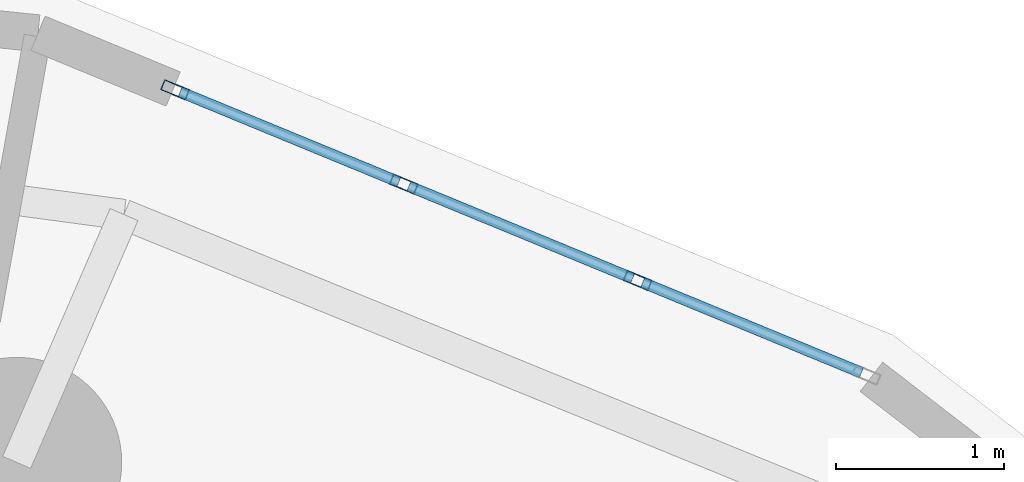
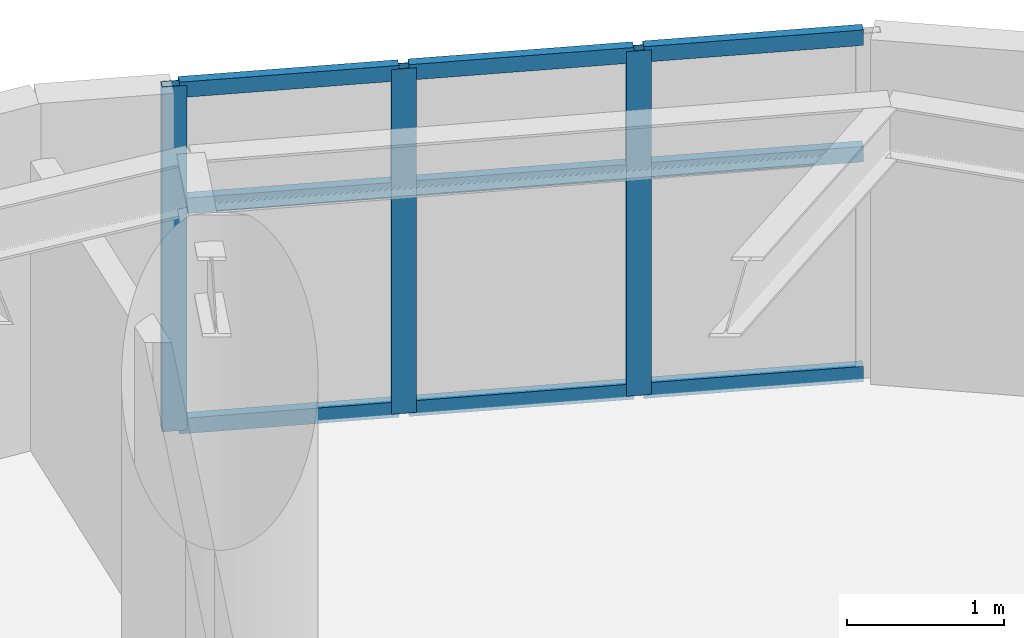
# One storey, part 7 of 17: 12 members, 1 element without a shape of its own.
"""IFC4 building model written with IfcOpenShell, lengths in metres."""

import ifcopenshell
import ifcopenshell.guid

model = None  # the IFC model being written
_history = None  # IfcOwnerHistory: only IFC2X3 demands one
_inside = {}  # id of a spatial element -> (the spatial element, [elements in it])
_under = {}  # id of a project, library or spatial element -> (it, [spatial elements below it])
_declared = {}  # id of a project -> (the project, [libraries it declares])
_typed = {}  # id of a type object -> (the type object, [elements of that type])
_made_of = {}  # id of a material, layer set ... -> (it, [elements and type objects made of it])


def new_model(schema):
    """Start an empty IFC model of exactly this schema.

    Asked for "IFC4X3", IfcOpenShell would pick the latest addendum, in which some entities
    have other attributes; the version numbers below select the first issue.
    IFC2X3 requires an IfcOwnerHistory on every rooted entity: one is made here for all.
    """
    global model, _history
    if schema == "IFC4X3":
        model = ifcopenshell.file(schema_version=(4, 3, 0, 0))
    else:
        model = ifcopenshell.file(schema=schema)
    _inside.clear()
    _under.clear()
    _declared.clear()
    _typed.clear()
    _made_of.clear()
    _history = None
    if model.schema == "IFC2X3":
        org = make("IfcOrganization", Name="unknown")
        user = make(
            "IfcPersonAndOrganization",
            ThePerson=make("IfcPerson", FamilyName="unknown"),
            TheOrganization=org,
        )
        app = make(
            "IfcApplication",
            ApplicationDeveloper=org,
            Version="unknown",
            ApplicationFullName="unknown",
            ApplicationIdentifier="unknown",
        )
        _history = make(
            "IfcOwnerHistory",
            OwningUser=user,
            OwningApplication=app,
            ChangeAction="ADDED",
            CreationDate=0,
        )
    return model


def make(cls, **values):
    """One entity of the class cls with the attributes given. An attribute that is None is left unset."""
    return model.create_entity(
        cls, **{name: value for name, value in values.items() if value is not None}
    )


def rooted(cls, **values):
    """An entity with a GlobalId (a new one), such as an element, a storey or a relation."""
    return make(cls, GlobalId=ifcopenshell.guid.new(), OwnerHistory=_history, **values)


def si_unit(unit_type, name, prefix=None):
    """IfcSIUnit, for example si_unit("LENGTHUNIT", "METRE", prefix="MILLI")."""
    return make("IfcSIUnit", UnitType=unit_type, Prefix=prefix, Name=name)


def assignment(units):
    """IfcUnitAssignment: the units of a project."""
    return None if units is None else make("IfcUnitAssignment", Units=units)


def point(xyz):
    """IfcCartesianPoint."""
    return None if xyz is None else make("IfcCartesianPoint", Coordinates=xyz)


def direction(xyz):
    """IfcDirection."""
    return None if xyz is None else make("IfcDirection", DirectionRatios=xyz)


def frame(location, z_axis=None, x_axis=None):
    """IfcAxis2Placement3D, a coordinate frame: its origin and axes. An axis left out is left unset."""
    return make(
        "IfcAxis2Placement3D",
        Location=point(location),
        Axis=direction(z_axis),
        RefDirection=direction(x_axis),
    )


def frame_2d(location, x_axis=None):
    """IfcAxis2Placement2D, a coordinate frame in the plane: its origin and x axis."""
    return make(
        "IfcAxis2Placement2D", Location=point(location), RefDirection=direction(x_axis)
    )


def origin():
    """The frame at (0, 0, 0) with its axes left unset."""
    return frame((0.0, 0.0, 0.0))


def origin_2d():
    """The frame at (0, 0) in the plane with its x axis left unset."""
    return frame_2d((0.0, 0.0))


def place(relative_to, where):
    """IfcLocalPlacement: puts the frame where relative to a parent placement (None: the world)."""
    return make(
        "IfcLocalPlacement", PlacementRelTo=relative_to, RelativePlacement=where
    )


def context(
    kind, dimensions, precision=None, world=None, true_north=None, identifier=None
):
    """IfcGeometricRepresentationContext, for example the 3D "Model" context."""
    return make(
        "IfcGeometricRepresentationContext",
        ContextIdentifier=identifier,
        ContextType=kind,
        CoordinateSpaceDimension=dimensions,
        Precision=precision,
        WorldCoordinateSystem=world,
        TrueNorth=true_north,
    )


def subcontext(parent, identifier, kind, view, scale=None):
    """IfcGeometricRepresentationSubContext, for example "Body" below "Model"."""
    return make(
        "IfcGeometricRepresentationSubContext",
        ContextIdentifier=identifier,
        ContextType=kind,
        ParentContext=parent,
        TargetScale=scale,
        TargetView=view,
    )


def project(units=None, contexts=None):
    """IfcProject with its units and contexts."""
    return rooted(
        "IfcProject",
        Name="project",
        RepresentationContexts=contexts,
        UnitsInContext=assignment(units),
    )


def spatial(cls, under=None, at=None, **own):
    """A site, building, storey or space (cls), placed at a placement, below another one or the project."""
    s = rooted(cls, ObjectPlacement=at, **own)
    if under is not None:
        _under.setdefault(under.id(), (under, []))[1].append(s)
    return s


def profile(cls, at=None, kind="AREA", **sizes):
    """A parametric profile (cls). Its sizes go by their IFC names, for example OverallWidth=200.0."""
    return make(cls, ProfileType=kind, Position=at, **sizes)


def hollow_rectangle(**sizes):
    """IfcRectangleHollowProfileDef."""
    return profile("IfcRectangleHollowProfileDef", **sizes)


def extrude(swept, where, along, depth):
    """IfcExtrudedAreaSolid: the profile swept, set in the frame where, extruded along a direction by depth."""
    return make(
        "IfcExtrudedAreaSolid",
        SweptArea=swept,
        Position=where,
        ExtrudedDirection=direction(along),
        Depth=depth,
    )


def shape(context_of_items, identifier, shape_type, items):
    """IfcShapeRepresentation: the items that make up one representation, for example the "Body"."""
    return make(
        "IfcShapeRepresentation",
        ContextOfItems=context_of_items,
        RepresentationIdentifier=identifier,
        RepresentationType=shape_type,
        Items=items,
    )


def material(Name=None, Category=None):
    """IfcMaterial."""
    return make("IfcMaterial", Name=Name, Category=Category)


def layer(
    of_material, thickness, ventilated=None, Name=None, Category=None, Priority=None
):
    """IfcMaterialLayer: one layer of a wall or slab, of a material (None: an air gap)."""
    return make(
        "IfcMaterialLayer",
        Material=of_material,
        LayerThickness=thickness,
        IsVentilated=ventilated,
        Name=Name,
        Category=Category,
        Priority=Priority,
    )


def layer_set(layers, Name=None):
    """IfcMaterialLayerSet."""
    return make("IfcMaterialLayerSet", MaterialLayers=layers, LayerSetName=Name)


def material_profile(
    of_material, cross_section, Name=None, Category=None, Priority=None
):
    """IfcMaterialProfile: a cross section and its material."""
    return make(
        "IfcMaterialProfile",
        Name=Name,
        Material=of_material,
        Profile=cross_section,
        Priority=Priority,
        Category=Category,
    )


def profile_set(profiles, Name=None, composite=None):
    """IfcMaterialProfileSet."""
    return make(
        "IfcMaterialProfileSet",
        Name=Name,
        MaterialProfiles=profiles,
        CompositeProfile=composite,
    )


def made_of(thing, what):
    """Note that an element or type object is made of a material, layer set ...; save() writes the relation."""
    if what is not None:
        _made_of.setdefault(what.id(), (what, []))[1].append(thing)
    return thing


def type_object(cls, material=None, **own):
    """A type object (cls), such as IfcWallType, which elements share."""
    return made_of(rooted(cls, **own), material)


def element(
    cls,
    number,
    at=None,
    inside=None,
    cuts=None,
    type_object=None,
    material=None,
    context=None,
    identifier="Body",
    shape_type=None,
    held_by="IfcProductDefinitionShape",
    body=None,
    shapes=None,
    **own,
):
    """One element of the class cls, such as IfcWall. Its Tag is "e" and its number.

    at: its placement. inside: the storey or other place that contains it. cuts: it is an
    opening in that element (IfcRelVoidsElement). A single representation is given by context,
    identifier, shape_type and body (its items); several are given by shapes. held_by: the class
    of the entity that holds the representations. save() writes the other relations.
    """
    e = rooted(cls, Tag="e%d" % number, ObjectPlacement=at, **own)
    if body is not None:
        shapes = [shape(context, identifier, shape_type, body)]
    if shapes is not None:
        e.Representation = make(held_by, Representations=shapes)
    if inside is not None:
        _inside.setdefault(inside.id(), (inside, []))[1].append(e)
    if cuts is not None:
        rooted(
            "IfcRelVoidsElement", RelatingBuildingElement=cuts, RelatedOpeningElement=e
        )
    if type_object is not None:
        _typed.setdefault(type_object.id(), (type_object, []))[1].append(e)
    return made_of(e, material)


def aggregate(whole, parts):
    """IfcRelAggregates: a whole, such as a stair, and the parts it consists of."""
    return rooted("IfcRelAggregates", RelatingObject=whole, RelatedObjects=parts)


def save(model, path):
    """Write the relations noted so far, then the file.

    IfcRelAggregates (storeys below a building ...), IfcRelContainedInSpatialStructure (elements
    in a storey), IfcRelDefinesByType, IfcRelAssociatesMaterial and IfcRelDeclares: one each for
    every whole, place, type object, material and project.
    """
    for whole, parts in _under.values():
        aggregate(whole, parts)
    for where, things in _inside.values():
        rooted(
            "IfcRelContainedInSpatialStructure",
            RelatedElements=things,
            RelatingStructure=where,
        )
    for kind, things in _typed.values():
        rooted("IfcRelDefinesByType", RelatedObjects=things, RelatingType=kind)
    for what, things in _made_of.values():
        rooted("IfcRelAssociatesMaterial", RelatedObjects=things, RelatingMaterial=what)
    for by, libraries in _declared.values():
        rooted("IfcRelDeclares", RelatingContext=by, RelatedDefinitions=libraries)
    model.write(path)


model = new_model("IFC4")

# Units and contexts
model_context = context("Model", 3, precision=1e-05, world=origin(), true_north=direction((0.0, 1.0)))
body_context = subcontext(model_context, "Body", "Model", "MODEL_VIEW")
ifc_project = project(units=[si_unit("LENGTHUNIT", "METRE"), si_unit("AREAUNIT", "SQUARE_METRE"), si_unit("VOLUMEUNIT", "CUBIC_METRE"), si_unit("PLANEANGLEUNIT", "RADIAN"), si_unit("MASSUNIT", "GRAM", prefix="KILO")], contexts=[model_context])

# Site, building, storey
site_placement = place(None, origin())
site = spatial("IfcSite", under=ifc_project, at=site_placement, CompositionType="ELEMENT")
building_placement = place(site_placement, origin())
building = spatial("IfcBuilding", under=site, at=building_placement, Name="Cununo Teusaquillo Station Towers", CompositionType="ELEMENT")
storey_placement = place(building_placement, frame((0.0, 0.0, 166.14990234375)))
storey = spatial("IfcBuildingStorey", under=building, at=storey_placement, Name="L52", CompositionType="ELEMENT", Elevation=166.14990234375)

# Curtain wall, members
ifc_material_1 = material(Name="Operable acoustic tinted low-E double glazing", Category="glass")
ifc_layer = layer(ifc_material_1, 0.179931640625)
ifc_layer_set = layer_set([ifc_layer], Name="Operable acoustic tinted low-E double glazing")
curtain_wall_type = type_object("IfcCurtainWallType", Name="CW-SYS-06", PredefinedType="USERDEFINED", material=ifc_layer_set)
curtain_wall_placement = place(storey_placement, origin())
curtain_wall = element("IfcCurtainWall", 1, at=curtain_wall_placement, inside=storey, type_object=curtain_wall_type, Name="L52 Tower B Facade Curtain Wall C01", ObjectType="OPERABLE GLAZING", PredefinedType="USERDEFINED")
ifc_material_2 = material(Name="Anodised dark bronze aluminium EN AW-6063-T6", Category="aluminium")
ifc_material_profile_1 = material_profile(ifc_material_2, hollow_rectangle(XDim=0.06494140625, YDim=0.159912109375, WallThickness=0.00390625, at=origin_2d()), Name="CW-MULL-65x160")
ifc_profile_set_1 = profile_set([ifc_material_profile_1], Name="Anodised dark bronze aluminium EN AW-6063-T6")
member_type_1 = type_object("IfcMemberType", Name="CWM-160", PredefinedType="MULLION", material=ifc_profile_set_1)
member_1_placement = place(storey_placement, frame((59.233642578125, 39.852783203125, 0.0), z_axis=(0.0, 0.0, 1.0), x_axis=(0.381121790423, 0.924524840588, 0.0)))
member_1 = element("IfcMember", 2, at=member_1_placement, type_object=member_type_1, Name="CW-06 mullion 1", PredefinedType="MULLION", context=body_context, shape_type="SweptSolid", body=[
    extrude(hollow_rectangle(XDim=0.06494140625, YDim=0.159912109375, WallThickness=0.00390625, at=origin_2d()), origin(), (0.0, 0.0, 1.0), 2.675048828125),
])
member_2_placement = place(storey_placement, frame((60.59521484375, 39.29150390625, 0.0), z_axis=(0.0, 0.0, 1.0), x_axis=(0.381121790423, 0.924524840588, 0.0)))
member_2 = element("IfcMember", 3, at=member_2_placement, type_object=member_type_1, Name="CW-06 mullion 2", PredefinedType="MULLION", context=body_context, shape_type="SweptSolid", body=[
    extrude(hollow_rectangle(XDim=0.06494140625, YDim=0.159912109375, WallThickness=0.00390625, at=origin_2d()), origin(), (0.0, 0.0, 1.0), 2.675048828125),
])
member_3_placement = place(storey_placement, frame((61.98681640625, 38.7177734375, 0.0), z_axis=(0.0, 0.0, 1.0), x_axis=(0.381121790423, 0.924524840588, 0.0)))
member_3 = element("IfcMember", 4, at=member_3_placement, type_object=member_type_1, Name="CW-06 mullion 3", PredefinedType="MULLION", context=body_context, shape_type="SweptSolid", body=[
    extrude(hollow_rectangle(XDim=0.06494140625, YDim=0.159912109375, WallThickness=0.00390625, at=origin_2d()), origin(), (0.0, 0.0, 1.0), 2.675048828125),
])
ifc_material_3 = material(Name="Anodised dark bronze aluminium EN AW-6063-T6", Category="aluminium")
ifc_material_profile_2 = material_profile(ifc_material_3, hollow_rectangle(XDim=0.06494140625, YDim=0.1201171875, WallThickness=0.00390625, at=origin_2d()), Name="CW-TRAN-65x120")
ifc_profile_set_2 = profile_set([ifc_material_profile_2], Name="Anodised dark bronze aluminium EN AW-6063-T6")
member_type_2 = type_object("IfcMemberType", Name="CWT-120", PredefinedType="USERDEFINED", material=ifc_profile_set_2)
member_4_placement = place(storey_placement, frame((59.263916015625, 39.84033203125, 0.03271484375), z_axis=(0.924537934154, -0.381090026517, 0.0), x_axis=(0.381090026517, 0.924537934154, 0.0)))
member_4 = element("IfcMember", 5, at=member_4_placement, type_object=member_type_2, Name="CW-06 transom 1.1", ObjectType="TRANSOM", PredefinedType="USERDEFINED", context=body_context, shape_type="SweptSolid", body=[
    extrude(hollow_rectangle(XDim=0.06494140625, YDim=0.1201171875, WallThickness=0.00390625, at=origin_2d()), origin(), (0.0, 0.0, 1.0), 1.407470703125),
])
member_5_placement = place(storey_placement, frame((59.263916015625, 39.84033203125, 1.739013671875), z_axis=(0.924537934154, -0.381090026517, 0.0), x_axis=(0.381090026517, 0.924537934154, 0.0)))
member_5 = element("IfcMember", 6, at=member_5_placement, type_object=member_type_2, Name="CW-06 transom 1.2", ObjectType="TRANSOM", PredefinedType="USERDEFINED", context=body_context, shape_type="SweptSolid", body=[
    extrude(hollow_rectangle(XDim=0.06494140625, YDim=0.1201171875, WallThickness=0.00390625, at=origin_2d()), origin(), (0.0, 0.0, 1.0), 1.407470703125),
])
member_6_placement = place(storey_placement, frame((59.263916015625, 39.84033203125, 2.642578125), z_axis=(0.924537934154, -0.381090026517, 0.0), x_axis=(0.381090026517, 0.924537934154, 0.0)))
member_6 = element("IfcMember", 7, at=member_6_placement, type_object=member_type_2, Name="CW-06 transom 1.3", ObjectType="TRANSOM", PredefinedType="USERDEFINED", context=body_context, shape_type="SweptSolid", body=[
    extrude(hollow_rectangle(XDim=0.06494140625, YDim=0.1201171875, WallThickness=0.00390625, at=origin_2d()), origin(), (0.0, 0.0, 1.0), 1.407470703125),
])
member_7_placement = place(storey_placement, frame((60.625244140625, 39.279052734375, 0.03271484375), z_axis=(0.924544635002, -0.381073769616, 0.0), x_axis=(0.381073769616, 0.924544635002, 0.0)))
member_7 = element("IfcMember", 8, at=member_7_placement, type_object=member_type_2, Name="CW-06 transom 2.1", ObjectType="TRANSOM", PredefinedType="USERDEFINED", context=body_context, shape_type="SweptSolid", body=[
    extrude(hollow_rectangle(XDim=0.06494140625, YDim=0.1201171875, WallThickness=0.00390625, at=origin_2d()), origin(), (0.0, 0.0, 1.0), 1.440185546875),
])
member_8_placement = place(storey_placement, frame((60.625244140625, 39.279052734375, 1.739013671875), z_axis=(0.924544635002, -0.381073769616, 0.0), x_axis=(0.381073769616, 0.924544635002, 0.0)))
member_8 = element("IfcMember", 9, at=member_8_placement, type_object=member_type_2, Name="CW-06 transom 2.2", ObjectType="TRANSOM", PredefinedType="USERDEFINED", context=body_context, shape_type="SweptSolid", body=[
    extrude(hollow_rectangle(XDim=0.06494140625, YDim=0.1201171875, WallThickness=0.00390625, at=origin_2d()), origin(), (0.0, 0.0, 1.0), 1.440185546875),
])
member_9_placement = place(storey_placement, frame((60.625244140625, 39.279052734375, 2.642578125), z_axis=(0.924544635002, -0.381073769616, 0.0), x_axis=(0.381073769616, 0.924544635002, 0.0)))
member_9 = element("IfcMember", 10, at=member_9_placement, type_object=member_type_2, Name="CW-06 transom 2.3", ObjectType="TRANSOM", PredefinedType="USERDEFINED", context=body_context, shape_type="SweptSolid", body=[
    extrude(hollow_rectangle(XDim=0.06494140625, YDim=0.1201171875, WallThickness=0.00390625, at=origin_2d()), origin(), (0.0, 0.0, 1.0), 1.440185546875),
])
member_10_placement = place(storey_placement, frame((62.016845703125, 38.70556640625, 0.03271484375), z_axis=(0.924502014319, -0.381177157658, 0.0), x_axis=(0.381177157658, 0.924502014319, 0.0)))
member_10 = element("IfcMember", 11, at=member_10_placement, type_object=member_type_2, Name="CW-06 transom 3.1", ObjectType="TRANSOM", PredefinedType="USERDEFINED", context=body_context, shape_type="SweptSolid", body=[
    extrude(hollow_rectangle(XDim=0.06494140625, YDim=0.1201171875, WallThickness=0.00390625, at=origin_2d()), origin(), (0.0, 0.0, 1.0), 1.40771484375),
])
member_11_placement = place(storey_placement, frame((62.016845703125, 38.70556640625, 1.739013671875), z_axis=(0.924502014319, -0.381177157658, 0.0), x_axis=(0.381177157658, 0.924502014319, 0.0)))
member_11 = element("IfcMember", 12, at=member_11_placement, type_object=member_type_2, Name="CW-06 transom 3.2", ObjectType="TRANSOM", PredefinedType="USERDEFINED", context=body_context, shape_type="SweptSolid", body=[
    extrude(hollow_rectangle(XDim=0.06494140625, YDim=0.1201171875, WallThickness=0.00390625, at=origin_2d()), origin(), (0.0, 0.0, 1.0), 1.40771484375),
])
member_12_placement = place(storey_placement, frame((62.016845703125, 38.70556640625, 2.642578125), z_axis=(0.924502014319, -0.381177157658, 0.0), x_axis=(0.381177157658, 0.924502014319, 0.0)))
member_12 = element("IfcMember", 13, at=member_12_placement, type_object=member_type_2, Name="CW-06 transom 3.3", ObjectType="TRANSOM", PredefinedType="USERDEFINED", context=body_context, shape_type="SweptSolid", body=[
    extrude(hollow_rectangle(XDim=0.06494140625, YDim=0.1201171875, WallThickness=0.00390625, at=origin_2d()), origin(), (0.0, 0.0, 1.0), 1.40771484375),
])
aggregate(curtain_wall, [member_1, member_2, member_3, member_4, member_5, member_6, member_7, member_8, member_9, member_10, member_11, member_12])

save(model, "model.ifc")
